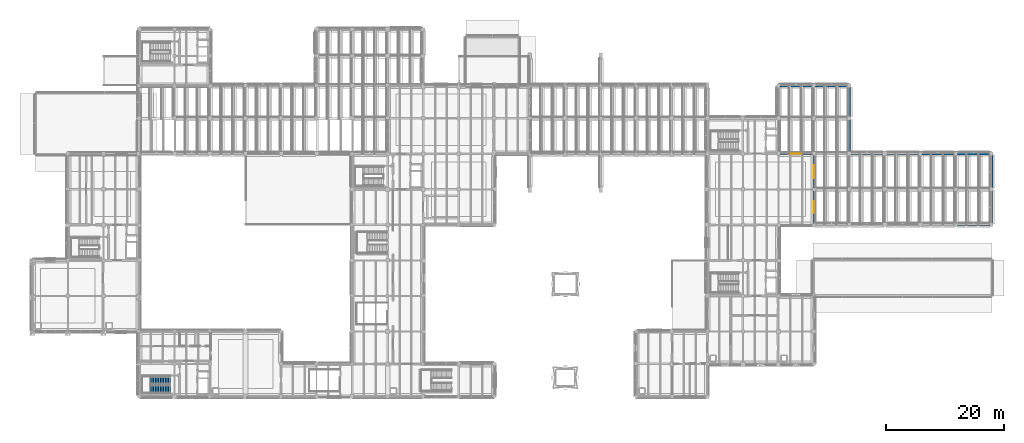
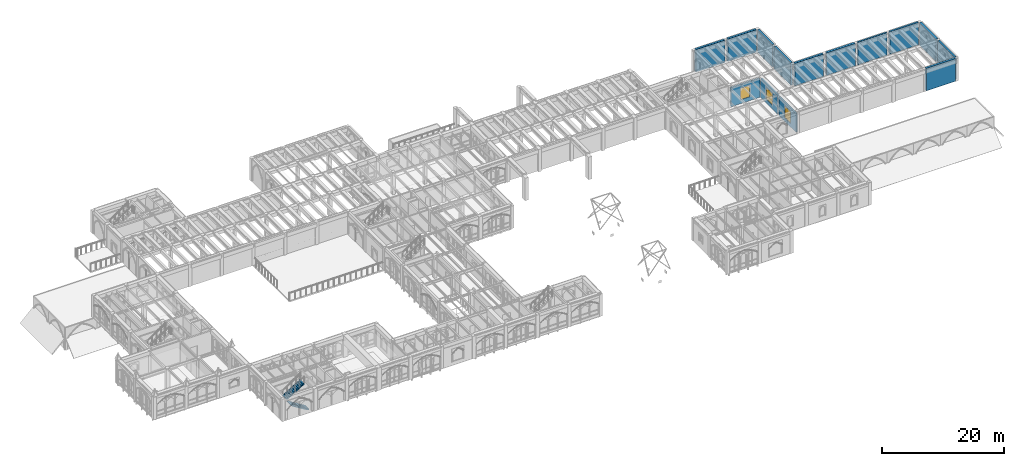
# One storey, part 84 of 127: 14 walls, 3 windows, 2 stair flights, 3 openings, 1 element without a shape of its own.
"""IFC4 building model written with IfcOpenShell, lengths in metres."""

from ifc_helpers import new_model, si_unit, direction, frame, frame_2d, origin, place, context, subcontext, project, spatial, polyline, rectangle, outline, extrude, material, layer, layer_set, type_object, element, fill, aggregate, save


model = new_model("IFC4")

# Units and contexts
model_context = context("Model", 3, precision=1e-05, world=origin(), true_north=direction((0.0, 1.0)))
body_context = subcontext(model_context, "Body", "Model", "MODEL_VIEW")
ifc_project = project(units=[si_unit("LENGTHUNIT", "METRE"), si_unit("AREAUNIT", "SQUARE_METRE"), si_unit("VOLUMEUNIT", "CUBIC_METRE"), si_unit("PLANEANGLEUNIT", "RADIAN"), si_unit("MASSUNIT", "GRAM", prefix="KILO")], contexts=[model_context])

# Site, building, storey
site_placement = place(None, origin())
site = spatial("IfcSite", under=ifc_project, at=site_placement, CompositionType="ELEMENT")
building_placement = place(site_placement, origin())
building = spatial("IfcBuilding", under=site, at=building_placement, Name="Cumevento Cable Car Station", CompositionType="ELEMENT")
storey_placement = place(building_placement, frame((0.0, 0.0, 4.5)))
storey = spatial("IfcBuildingStorey", under=building, at=storey_placement, Name="L02", CompositionType="ELEMENT", Elevation=4.5)

# Wall, opening, window
ifc_material_1 = material(Name="Gnaisse Facoidal Stone Ashlar 85 MPa", Category="masonry")
ifc_layer_1 = layer(ifc_material_1, 0.280029296875)
ifc_layer_set_1 = layer_set([ifc_layer_1], Name="Gnaisse Facoidal Stone Ashlar 85 MPa")
wall_type_1 = type_object("IfcWallType", Name="Exterior Envelope Wall EW-280 280", PredefinedType="SOLIDWALL", material=ifc_layer_set_1)
wall_1_placement = place(storey_placement, frame((130.27490234375, 45.0, 0.0), z_axis=(0.0, 0.0, 1.0), x_axis=(1.0, 0.0, 0.0)))
wall_1 = element("IfcWall", 1, at=wall_1_placement, inside=storey, type_object=wall_type_1, Name="Exterior Wall EW-280 L02 #170", PredefinedType="SOLIDWALL", context=body_context, shape_type="SweptSolid", body=[
    extrude(rectangle(XDim=5.4501953125, YDim=0.280029296875, at=frame_2d((2.72509765625, 0.0))), origin(), (0.0, 0.0, 1.0), 3.7958984375),
])
opening_1_placement = place(wall_1_placement, frame((1.85009765625, 0.0, 0.75)))
opening_1 = element("IfcOpeningElement", 2, at=opening_1_placement, cuts=wall_1, Name="Opening WN-L02-058", PredefinedType="OPENING", context=body_context, shape_type="SweptSolid", body=[
    extrude(rectangle(XDim=1.75, YDim=2.300048828125, at=frame_2d((0.875, 1.14990234375))), frame((0.0, 0.150146484375, 0.0), z_axis=(0.0, -1.0, 0.0), x_axis=(1.0, 0.0, 0.0)), (0.0, 0.0, 1.0), 0.300048828125),
])
ifc_material_2 = material(Name="Anodised Bronze Aluminium & Laminated Solar Glass", Category="aluminium")
window_type_1 = type_object("IfcWindowType", Name="Lancet Window WN-10 1750x2300", PartitioningType="DOUBLE_PANEL_VERTICAL", PredefinedType="WINDOW", material=ifc_material_2)
window_1_placement = place(opening_1_placement, origin())
window_1 = element("IfcWindow", 3, at=window_1_placement, inside=storey, type_object=window_type_1, Name="Lancet Window WN-L02-058 (WN-10)", OverallHeight=2.300048828125, OverallWidth=1.75, PartitioningType="SINGLE_PANEL", PredefinedType="WINDOW", context=body_context, shape_type="SweptSolid", body=[
    extrude(rectangle(XDim=1.75, YDim=2.300048828125, at=frame_2d((0.875, 1.14990234375))), frame((0.0, 0.030029296875, 0.0), z_axis=(0.0, -1.0, 0.0), x_axis=(1.0, 0.0, 0.0)), (0.0, 0.0, 1.0), 0.06005859375),
])
fill(opening_1, window_1)

ifc_material_3 = material(Name="Gnaisse Facoidal Stone Ashlar 85 MPa", Category="masonry")
ifc_layer_2 = layer(ifc_material_3, 0.31005859375)
ifc_layer_set_2 = layer_set([ifc_layer_2], Name="Gnaisse Facoidal Stone Ashlar 85 MPa")
wall_type_2 = type_object("IfcWallType", Name="Exterior Envelope Wall EW-310 310", PredefinedType="SOLIDWALL", material=ifc_layer_set_2)
wall_2_placement = place(storey_placement, frame((136.0, 38.75, 0.0), z_axis=(0.0, 0.0, 1.0), x_axis=(0.0, -1.0, 0.0)))
wall_2 = element("IfcWall", 4, at=wall_2_placement, inside=storey, type_object=wall_type_2, Name="Exterior Wall EW-310 L02 #172", PredefinedType="SOLIDWALL", context=body_context, shape_type="SweptSolid", body=[
    extrude(rectangle(XDim=5.5, YDim=0.31005859375, at=frame_2d((2.75, 0.0))), origin(), (0.0, 0.0, 1.0), 3.72802734375),
])
opening_2_placement = place(wall_2_placement, frame((1.77490234375, 0.0, 0.699951171875)))
opening_2 = element("IfcOpeningElement", 5, at=opening_2_placement, cuts=wall_2, Name="Opening WN-L02-060", PredefinedType="OPENING", context=body_context, shape_type="SweptSolid", body=[
    extrude(rectangle(XDim=1.949951171875, YDim=2.35009765625, at=frame_2d((0.97509765625, 1.175048828125))), frame((0.0, 0.1650390625, 0.0), z_axis=(0.0, -1.0, 0.0), x_axis=(1.0, 0.0, 0.0)), (0.0, 0.0, 1.0), 0.330078125),
])
ifc_material_4 = material(Name="Anodised Bronze Aluminium & Laminated Solar Glass", Category="aluminium")
window_type_2 = type_object("IfcWindowType", Name="Lancet Window WN-12 1950x2350", PartitioningType="DOUBLE_PANEL_VERTICAL", PredefinedType="WINDOW", material=ifc_material_4)
window_2_placement = place(opening_2_placement, origin())
window_2 = element("IfcWindow", 6, at=window_2_placement, inside=storey, type_object=window_type_2, Name="Lancet Window WN-L02-060 (WN-12)", OverallHeight=2.35009765625, OverallWidth=1.949951171875, PartitioningType="SINGLE_PANEL", PredefinedType="WINDOW", context=body_context, shape_type="SweptSolid", body=[
    extrude(rectangle(XDim=1.949951171875, YDim=2.35009765625, at=frame_2d((0.97509765625, 1.175048828125))), frame((0.0, 0.030029296875, 0.0), z_axis=(0.0, -1.0, 0.0), x_axis=(1.0, 0.0, 0.0)), (0.0, 0.0, 1.0), 0.06005859375),
])
fill(opening_2, window_2)

ifc_material_5 = material(Name="Concrete C40/50", Category="concrete")
ifc_layer_3 = layer(ifc_material_5, 0.340087890625)
ifc_layer_set_3 = layer_set([ifc_layer_3], Name="Concrete C40/50")
wall_type_3 = type_object("IfcWallType", Name="Exterior Envelope Wall EW-340 340", PredefinedType="SOLIDWALL", material=ifc_layer_set_3)
wall_3_placement = place(storey_placement, frame((136.0, 44.72509765625, 0.0), z_axis=(0.0, 0.0, 1.0), x_axis=(0.0, -1.0, 0.0)))
wall_3 = element("IfcWall", 7, at=wall_3_placement, inside=storey, type_object=wall_type_3, Name="Exterior Wall EW-340 L02 #174", PredefinedType="SOLIDWALL", context=body_context, shape_type="SweptSolid", body=[
    extrude(rectangle(XDim=5.47509765625, YDim=0.340087890625, at=frame_2d((2.737548828125, 0.0))), origin(), (0.0, 0.0, 1.0), 3.7958984375),
])
opening_3_placement = place(wall_3_placement, frame((1.66259765625, 0.0, 0.699951171875)))
opening_3 = element("IfcOpeningElement", 8, at=opening_3_placement, cuts=wall_3, Name="Opening WN-L02-062", PredefinedType="OPENING", context=body_context, shape_type="SweptSolid", body=[
    extrude(rectangle(XDim=2.14990234375, YDim=2.39990234375, at=frame_2d((1.074951171875, 1.199951171875))), frame((0.0, 0.179931640625, 0.0), z_axis=(0.0, -1.0, 0.0), x_axis=(1.0, 0.0, 0.0)), (0.0, 0.0, 1.0), 0.360107421875),
])
ifc_material_6 = material(Name="Anodised Bronze Aluminium & Laminated Solar Glass", Category="aluminium")
window_type_3 = type_object("IfcWindowType", Name="Lancet Window WN-14 2150x2400", PartitioningType="DOUBLE_PANEL_VERTICAL", PredefinedType="WINDOW", material=ifc_material_6)
window_3_placement = place(opening_3_placement, origin())
window_3 = element("IfcWindow", 9, at=window_3_placement, inside=storey, type_object=window_type_3, Name="Lancet Window WN-L02-062 (WN-14)", OverallHeight=2.39990234375, OverallWidth=2.14990234375, PartitioningType="SINGLE_PANEL", PredefinedType="WINDOW", context=body_context, shape_type="SweptSolid", body=[
    extrude(rectangle(XDim=2.14990234375, YDim=2.39990234375, at=frame_2d((1.074951171875, 1.199951171875))), frame((0.0, 0.030029296875, 0.0), z_axis=(0.0, -1.0, 0.0), x_axis=(1.0, 0.0, 0.0)), (0.0, 0.0, 1.0), 0.06005859375),
])
fill(opening_3, window_3)

# Walls
ifc_material_7 = material(Name="Concrete C40/50", Category="concrete")
ifc_layer_4 = layer(ifc_material_7, 0.340087890625)
ifc_layer_set_4 = layer_set([ifc_layer_4], Name="Concrete C40/50")
wall_type_4 = type_object("IfcWallType", Name="Retaining Wall RW-340 340", PredefinedType="USERDEFINED", material=ifc_layer_set_4)
wall_4_placement = place(storey_placement, frame((154.25, 45.0, 0.0), z_axis=(0.0, 0.0, 1.0), x_axis=(1.0, 0.0, 0.0)))
element("IfcWall", 10, at=wall_4_placement, inside=storey, type_object=wall_type_4, Name="Retaining Wall RW-340 L02 #96", ObjectType="RETAININGWALL", PredefinedType="USERDEFINED", context=body_context, shape_type="SweptSolid", body=[
    extrude(rectangle(XDim=5.47509765625, YDim=0.340087890625, at=frame_2d((2.737548828125, 0.0))), origin(), (0.0, 0.0, 1.0), 4.5),
])
wall_5_placement = place(storey_placement, frame((142.0, 45.300048828125, 0.0), z_axis=(0.0, 0.0, 1.0), x_axis=(0.0, 1.0, 0.0)))
element("IfcWall", 11, at=wall_5_placement, inside=storey, type_object=wall_type_4, Name="Retaining Wall RW-340 L02 #108", ObjectType="RETAININGWALL", PredefinedType="USERDEFINED", context=body_context, shape_type="SweptSolid", body=[
    extrude(rectangle(XDim=5.39990234375, YDim=0.340087890625, at=frame_2d((2.699951171875, 0.0))), origin(), (0.0, 0.0, 1.0), 4.5),
])
ifc_material_8 = material(Name="Concrete C40/50", Category="concrete")
ifc_layer_5 = layer(ifc_material_8, 0.360107421875)
ifc_layer_set_5 = layer_set([ifc_layer_5], Name="Concrete C40/50")
wall_type_5 = type_object("IfcWallType", Name="Retaining Wall RW-360 360", PredefinedType="USERDEFINED", material=ifc_layer_set_5)
wall_6_placement = place(storey_placement, frame((160.27490234375, 45.0, 0.0), z_axis=(0.0, 0.0, 1.0), x_axis=(1.0, 0.0, 0.0)))
element("IfcWall", 12, at=wall_6_placement, inside=storey, type_object=wall_type_5, Name="Retaining Wall RW-360 L02 #97", ObjectType="RETAININGWALL", PredefinedType="USERDEFINED", context=body_context, shape_type="SweptSolid", body=[
    extrude(rectangle(XDim=5.4501953125, YDim=0.360107421875, at=frame_2d((2.72509765625, 0.0))), origin(), (0.0, 0.0, 1.0), 4.5),
])
wall_7_placement = place(storey_placement, frame((142.0, 51.300048828125, 0.0), z_axis=(0.0, 0.0, 1.0), x_axis=(0.0, 1.0, 0.0)))
element("IfcWall", 13, at=wall_7_placement, inside=storey, type_object=wall_type_5, Name="Retaining Wall RW-360 L02 #109", ObjectType="RETAININGWALL", PredefinedType="USERDEFINED", context=body_context, shape_type="SweptSolid", body=[
    extrude(rectangle(XDim=4.89990234375, YDim=0.360107421875, at=frame_2d((2.449951171875, 0.0))), origin(), (0.0, 0.0, 1.0), 4.5),
])
ifc_material_9 = material(Name="Concrete C40/50", Category="concrete")
ifc_layer_6 = layer(ifc_material_9, 0.385009765625)
ifc_layer_set_6 = layer_set([ifc_layer_6], Name="Concrete C40/50")
wall_type_6 = type_object("IfcWallType", Name="Retaining Wall RW-385 385", PredefinedType="USERDEFINED", material=ifc_layer_set_6)
wall_8_placement = place(storey_placement, frame((166.0, 33.27490234375, 0.0), z_axis=(0.0, 0.0, 1.0), x_axis=(0.0, 1.0, 0.0)))
element("IfcWall", 14, at=wall_8_placement, inside=storey, type_object=wall_type_6, Name="Retaining Wall RW-385 L02 #98", ObjectType="RETAININGWALL", PredefinedType="USERDEFINED", context=body_context, shape_type="SweptSolid", body=[
    extrude(rectangle(XDim=5.4501953125, YDim=0.385009765625, at=frame_2d((2.72509765625, 0.0))), origin(), (0.0, 0.0, 1.0), 4.5),
])
ifc_material_10 = material(Name="Concrete C40/50", Category="concrete")
ifc_layer_7 = layer(ifc_material_10, 0.409912109375)
ifc_layer_set_7 = layer_set([ifc_layer_7], Name="Concrete C40/50")
wall_type_7 = type_object("IfcWallType", Name="Retaining Wall RW-410 410", PredefinedType="USERDEFINED", material=ifc_layer_set_7)
wall_9_placement = place(storey_placement, frame((160.25, 33.0, 0.0), z_axis=(0.0, 0.0, 1.0), x_axis=(1.0, 0.0, 0.0)))
element("IfcWall", 15, at=wall_9_placement, inside=storey, type_object=wall_type_7, Name="Retaining Wall RW-410 L02 #93", ObjectType="RETAININGWALL", PredefinedType="USERDEFINED", context=body_context, shape_type="SweptSolid", body=[
    extrude(rectangle(XDim=5.47509765625, YDim=0.409912109375, at=frame_2d((2.737548828125, 0.0))), origin(), (0.0, 0.0, 1.0), 4.5),
])
for number, where, z_axis, x_axis, name in (
    (16, (166.0, 39.27490234375, 0.0), (0.0, 0.0, 1.0), (0.0, 1.0, 0.0), "Retaining Wall RW-410 L02 #99"),
    (17, (130.27490234375, 56.5, 0.0), (0.0, 0.0, 1.0), (1.0, 0.0, 0.0), "Retaining Wall RW-410 L02 #105"),
):
    element("IfcWall", number, at=place(storey_placement, frame(where, z_axis=z_axis, x_axis=x_axis)), inside=storey, type_object=wall_type_7, Name=name, ObjectType="RETAININGWALL", PredefinedType="USERDEFINED", context=body_context, shape_type="SweptSolid", body=[
        extrude(rectangle(XDim=5.4501953125, YDim=0.409912109375, at=frame_2d((2.72509765625, 0.0))), origin(), (0.0, 0.0, 1.0), 4.5),
    ])
ifc_material_11 = material(Name="Concrete C40/50", Category="concrete")
ifc_layer_8 = layer(ifc_material_11, 0.43505859375)
ifc_layer_set_8 = layer_set([ifc_layer_8], Name="Concrete C40/50")
wall_type_8 = type_object("IfcWallType", Name="Retaining Wall RW-435 435", PredefinedType="USERDEFINED", material=ifc_layer_set_8)
wall_10_placement = place(storey_placement, frame((142.300048828125, 45.0, 0.0), z_axis=(0.0, 0.0, 1.0), x_axis=(1.0, 0.0, 0.0)))
element("IfcWall", 18, at=wall_10_placement, inside=storey, type_object=wall_type_8, Name="Retaining Wall RW-435 L02 #94", ObjectType="RETAININGWALL", PredefinedType="USERDEFINED", context=body_context, shape_type="SweptSolid", body=[
    extrude(rectangle(XDim=5.375, YDim=0.43505859375, at=frame_2d((2.6875, 0.0))), origin(), (0.0, 0.0, 1.0), 4.5),
])
wall_11_placement = place(storey_placement, frame((136.27490234375, 56.5, 0.0), z_axis=(0.0, 0.0, 1.0), x_axis=(1.0, 0.0, 0.0)))
element("IfcWall", 19, at=wall_11_placement, inside=storey, type_object=wall_type_8, Name="Retaining Wall RW-435 L02 #106", ObjectType="RETAININGWALL", PredefinedType="USERDEFINED", context=body_context, shape_type="SweptSolid", body=[
    extrude(rectangle(XDim=5.425048828125, YDim=0.43505859375, at=frame_2d((2.71240234375, 0.0))), origin(), (0.0, 0.0, 1.0), 4.5),
])
ifc_material_12 = material(Name="Concrete C40/50", Category="concrete")
ifc_layer_9 = layer(ifc_material_12, 0.4599609375)
ifc_layer_set_9 = layer_set([ifc_layer_9], Name="Concrete C40/50")
wall_type_9 = type_object("IfcWallType", Name="Retaining Wall RW-460 460", PredefinedType="USERDEFINED", material=ifc_layer_set_9)
wall_12_placement = place(storey_placement, frame((148.324951171875, 45.0, 0.0), z_axis=(0.0, 0.0, 1.0), x_axis=(1.0, 0.0, 0.0)))
element("IfcWall", 20, at=wall_12_placement, inside=storey, type_object=wall_type_9, Name="Retaining Wall RW-460 L02 #95", ObjectType="RETAININGWALL", PredefinedType="USERDEFINED", context=body_context, shape_type="SweptSolid", body=[
    extrude(rectangle(XDim=5.425048828125, YDim=0.4599609375, at=frame_2d((2.71240234375, 0.0))), origin(), (0.0, 0.0, 1.0), 4.5),
])

# Stair, stair flights
ifc_material_13 = material(Name="Concrete C40/50", Category="concrete")
stair_type = type_object("IfcStairType", Name="Half-Turn Stair ST-T03 1320", PredefinedType="HALF_TURN_STAIR", material=ifc_material_13)
stair_placement = place(storey_placement, origin())
stair = element("IfcStair", 21, at=stair_placement, inside=storey, type_object=stair_type, Name="Enclosed Exit Stair ST-02 (L02 to L03)", PredefinedType="HALF_TURN_STAIR")
ifc_material_14 = material(Name="Concrete C40/50", Category="concrete")
stair_flight_type = type_object("IfcStairFlightType", Name="Stair Flight STF-T03 1320", PredefinedType="STRAIGHT", material=ifc_material_14)
stair_flight_1_placement = place(storey_placement, frame((27.280029296875, 5.219970703125, 0.0), z_axis=(0.0, 0.0, 1.0), x_axis=(-1.0, 0.0, 0.0)))
stair_flight_1 = element("IfcStairFlight", 22, at=stair_flight_1_placement, type_object=stair_flight_type, Name="ST-02-L02 Flight 1", NumberOfRisers=13, NumberOfTreads=12, PredefinedType="STRAIGHT", RiserHeight=0.173076923, TreadLength=0.28, context=body_context, shape_type="SweptSolid", body=[
    extrude(outline(polyline([(0.0, 0.0), (0.0, 0.173095703125), (0.280029296875, 0.173095703125), (0.280029296875, 0.34619140625), (0.56005859375, 0.34619140625), (0.56005859375, 0.519287109375), (0.840087890625, 0.519287109375), (0.840087890625, 0.6923828125), (1.1201171875, 0.6923828125), (1.1201171875, 0.865478515625), (1.39990234375, 0.865478515625), (1.39990234375, 1.03857421875), (1.679931640625, 1.03857421875), (1.679931640625, 1.21142578125), (1.9599609375, 1.21142578125), (1.9599609375, 1.384521484375), (2.239990234375, 1.384521484375), (2.239990234375, 1.5576171875), (2.52001953125, 1.5576171875), (2.52001953125, 1.730712890625), (2.800048828125, 1.730712890625), (2.800048828125, 1.90380859375), (3.080078125, 1.90380859375), (3.080078125, 2.076904296875), (3.360107421875, 2.076904296875), (3.360107421875, 2.25), (3.360107421875, 1.888916015625), (0.30419921875, 0.0), (0.0, 0.0)])), frame((0.0, 0.66015625, 0.0), z_axis=(0.0, -1.0, 0.0), x_axis=(1.0, 0.0, 0.0)), (0.0, 0.0, 1.0), 1.320068359375),
])
stair_flight_2_placement = place(storey_placement, frame((23.919921875, 6.75, 2.25), z_axis=(0.0, 0.0, 1.0), x_axis=(1.0, 0.0, 0.0)))
stair_flight_2 = element("IfcStairFlight", 23, at=stair_flight_2_placement, type_object=stair_flight_type, Name="ST-02-L02 Flight 2", NumberOfRisers=13, NumberOfTreads=12, PredefinedType="STRAIGHT", RiserHeight=0.173076923, TreadLength=0.28, context=body_context, shape_type="SweptSolid", body=[
    extrude(outline(polyline([(0.0, 0.0), (0.0, 0.173095703125), (0.280029296875, 0.173095703125), (0.280029296875, 0.34619140625), (0.56005859375, 0.34619140625), (0.56005859375, 0.519287109375), (0.840087890625, 0.519287109375), (0.840087890625, 0.6923828125), (1.1201171875, 0.6923828125), (1.1201171875, 0.865478515625), (1.39990234375, 0.865478515625), (1.39990234375, 1.03857421875), (1.679931640625, 1.03857421875), (1.679931640625, 1.21142578125), (1.9599609375, 1.21142578125), (1.9599609375, 1.384521484375), (2.239990234375, 1.384521484375), (2.239990234375, 1.5576171875), (2.52001953125, 1.5576171875), (2.52001953125, 1.730712890625), (2.800048828125, 1.730712890625), (2.800048828125, 1.90380859375), (3.080078125, 1.90380859375), (3.080078125, 2.076904296875), (3.360107421875, 2.076904296875), (3.360107421875, 2.25), (3.360107421875, 1.888916015625), (0.30419921875, 0.0), (0.0, 0.0)])), frame((0.0, 0.66015625, 0.0), z_axis=(0.0, -1.0, 0.0), x_axis=(1.0, 0.0, 0.0)), (0.0, 0.0, 1.0), 1.320068359375),
])
aggregate(stair, [stair_flight_1, stair_flight_2])

save(model, "model.ifc")
